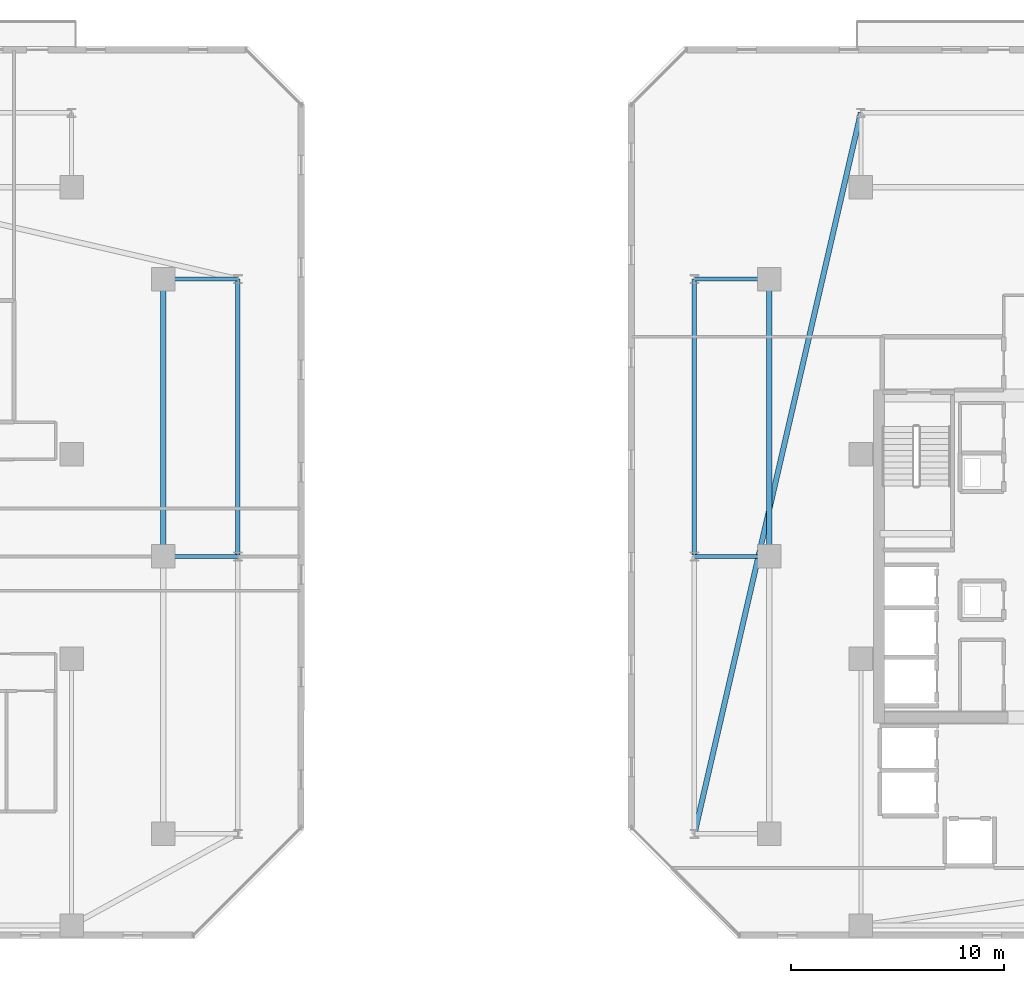
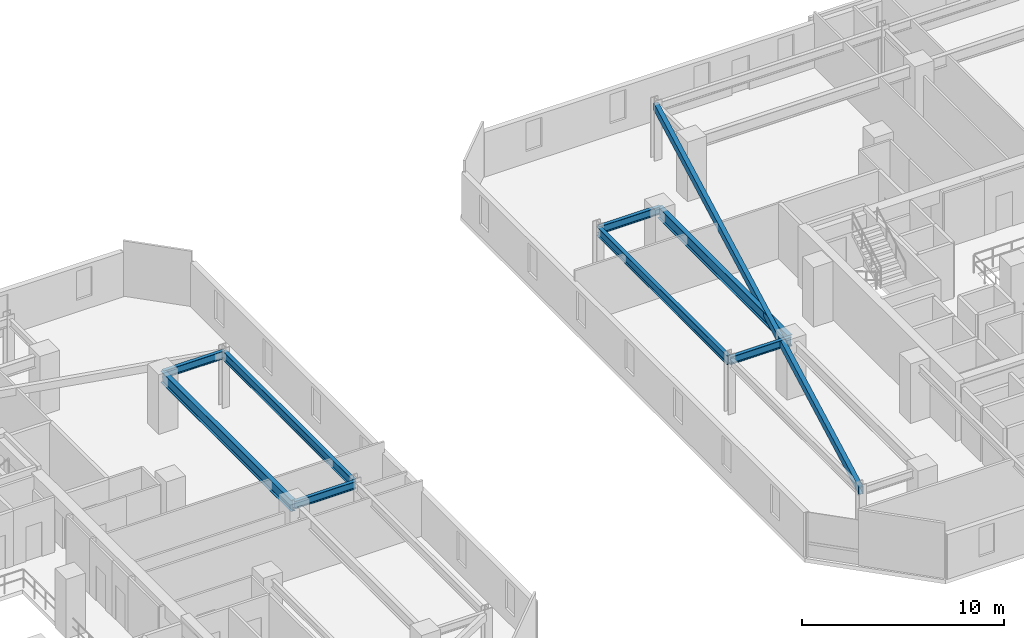
# One storey, part 7 of 33: 9 beams.
"""IFC4 building model written with IfcOpenShell, lengths in metres."""

from ifc_helpers import new_model, si_unit, direction, frame, origin, origin_2d, place, context, subcontext, project, spatial, hollow_rectangle, i_section, extrude, material, material_profile, profile_set, type_object, element, save


model = new_model("IFC4")

# Units and contexts
model_context = context("Model", 3, precision=1e-05, world=origin(), true_north=direction((0.0, 1.0)))
body_context = subcontext(model_context, "Body", "Model", "MODEL_VIEW")
ifc_project = project(units=[si_unit("LENGTHUNIT", "METRE"), si_unit("AREAUNIT", "SQUARE_METRE"), si_unit("VOLUMEUNIT", "CUBIC_METRE"), si_unit("PLANEANGLEUNIT", "RADIAN"), si_unit("MASSUNIT", "GRAM", prefix="KILO")], contexts=[model_context])

# Site, building, storey
site_placement = place(None, origin())
site = spatial("IfcSite", under=ifc_project, at=site_placement, CompositionType="ELEMENT")
building_placement = place(site_placement, origin())
building = spatial("IfcBuilding", under=site, at=building_placement, Name="Thornwick Lancets Civic Towers", CompositionType="ELEMENT")
storey_placement = place(building_placement, frame((0.0, 0.0, 189.300048828125)))
storey = spatial("IfcBuildingStorey", under=building, at=storey_placement, Name="L50", CompositionType="ELEMENT", Elevation=189.300048828125)

# Beams
ifc_material = material(Name="Steel S355JR", Category="steel")
ifc_material_profile_1 = material_profile(ifc_material, i_section(OverallWidth=0.210693359375, OverallDepth=0.53955078125, WebThickness=0.01171875, FlangeThickness=0.018798828125, FilletRadius=0.0126953125, at=origin_2d()), Name="UKB 533x210x109")
ifc_profile_set_1 = profile_set([ifc_material_profile_1], Name="Steel S355JR")
beam_type_1 = type_object("IfcBeamType", Name="BM_EDGE_533_109", PredefinedType="SPANDREL", material=ifc_profile_set_1)
for number, where, z_axis, x_axis, name in (
    (1, (46.300048828125, 27.080078125, 3.09033203125), (0.0, 1.0, 0.0), (-1.0, 0.0, 0.0), "BM-EDGE-L50-A-S1-2"),
    (2, (67.699951171875, 27.080078125, 3.09033203125), (0.0, 1.0, 0.0), (-1.0, 0.0, 0.0), "BM-EDGE-L50-B-S2-2"),
):
    element("IfcBeam", number, at=place(storey_placement, frame(where, z_axis=z_axis, x_axis=x_axis)), inside=storey, type_object=beam_type_1, Name=name, PredefinedType="SPANDREL", context=body_context, shape_type="SweptSolid", body=[
        extrude(i_section(OverallWidth=0.210693359375, OverallDepth=0.53955078125, WebThickness=0.01171875, FlangeThickness=0.018798828125, FilletRadius=0.0126953125, at=origin_2d()), origin(), (0.0, 0.0, 1.0), 12.919921875),
    ])
ifc_material_profile_2 = material_profile(ifc_material, i_section(OverallWidth=0.255859375, OverallDepth=0.69287109375, WebThickness=0.014404296875, FlangeThickness=0.023681640625, FilletRadius=0.01513671875, at=origin_2d()), Name="UKB 686x254x170")
ifc_profile_set_2 = profile_set([ifc_material_profile_2], Name="Steel S355JR")
beam_type_2 = type_object("IfcBeamType", Name="BM_GIRD_686_170", PredefinedType="BEAM", material=ifc_profile_set_2)
for number, where, z_axis, x_axis, name in (
    (3, (42.800048828125, 27.080078125, 3.013427734375), (0.0, 1.0, 0.0), (-1.0, 0.0, 0.0), "BM-SPINE-L50-A-4-5"),
    (4, (71.199951171875, 27.080078125, 3.013427734375), (0.0, 1.0, 0.0), (-1.0, 0.0, 0.0), "BM-SPINE-L50-B-7-8"),
):
    element("IfcBeam", number, at=place(storey_placement, frame(where, z_axis=z_axis, x_axis=x_axis)), inside=storey, type_object=beam_type_2, Name=name, PredefinedType="BEAM", context=body_context, shape_type="SweptSolid", body=[
        extrude(i_section(OverallWidth=0.255859375, OverallDepth=0.69287109375, WebThickness=0.014404296875, FlangeThickness=0.023681640625, FilletRadius=0.01513671875, at=origin_2d()), origin(), (0.0, 0.0, 1.0), 12.919921875),
    ])
ifc_material_profile_3 = material_profile(ifc_material, i_section(OverallWidth=0.19287109375, OverallDepth=0.46728515625, WebThickness=0.011474609375, FlangeThickness=0.01953125, FilletRadius=0.01025390625, at=origin_2d()), Name="UKB 457x191x98")
ifc_profile_set_3 = profile_set([ifc_material_profile_3], Name="Steel S355JR")
beam_type_3 = type_object("IfcBeamType", Name="BM_JOIST_457_98", PredefinedType="JOIST", material=ifc_profile_set_3)
for number, where, z_axis, x_axis, name in (
    (5, (42.800048828125, 27.0, 3.12646484375), (1.0, 0.0, 0.0), (0.0, 1.0, 0.0), "BM-RAD-L50-A05"),
    (6, (42.800048828125, 40.0, 3.12646484375), (1.0, 0.0, 0.0), (0.0, 1.0, 0.0), "BM-RAD-L50-A06"),
    (7, (71.199951171875, 27.0, 3.12646484375), (-1.0, 0.0, 0.0), (0.0, -1.0, 0.0), "BM-RAD-L50-B08"),
    (8, (71.199951171875, 40.0, 3.12646484375), (-1.0, 0.0, 0.0), (0.0, -1.0, 0.0), "BM-RAD-L50-B09"),
):
    element("IfcBeam", number, at=place(storey_placement, frame(where, z_axis=z_axis, x_axis=x_axis)), inside=storey, type_object=beam_type_3, Name=name, PredefinedType="JOIST", context=body_context, shape_type="SweptSolid", body=[
        extrude(i_section(OverallWidth=0.19287109375, OverallDepth=0.46728515625, WebThickness=0.011474609375, FlangeThickness=0.01953125, FilletRadius=0.01025390625, at=origin_2d()), origin(), (0.0, 0.0, 1.0), 3.5),
    ])
ifc_material_profile_4 = material_profile(ifc_material, hollow_rectangle(XDim=0.25, YDim=0.449951171875, WallThickness=0.01611328125, at=origin_2d()), Name="RHS 450x250x16")
ifc_profile_set_4 = profile_set([ifc_material_profile_4], Name="Steel S355JR")
beam_type_4 = type_object("IfcBeamType", Name="BM_RING_RHS450", PredefinedType="BEAM", material=ifc_profile_set_4)
beam_placement = place(storey_placement, frame((75.5, 47.800048828125, 3.135009765625), z_axis=(-0.224860534737, -0.974390958454, 0.0), x_axis=(0.974390958454, -0.224860534737, 0.0)))
element("IfcBeam", 9, at=beam_placement, inside=storey, type_object=beam_type_4, Name="BM-CHAMF-L50-B-C1", PredefinedType="BEAM", context=body_context, shape_type="SweptSolid", body=[
    extrude(hollow_rectangle(XDim=0.25, YDim=0.449951171875, WallThickness=0.01611328125, at=origin_2d()), origin(), (0.0, 0.0, 1.0), 34.6884765625),
])

save(model, "model.ifc")
